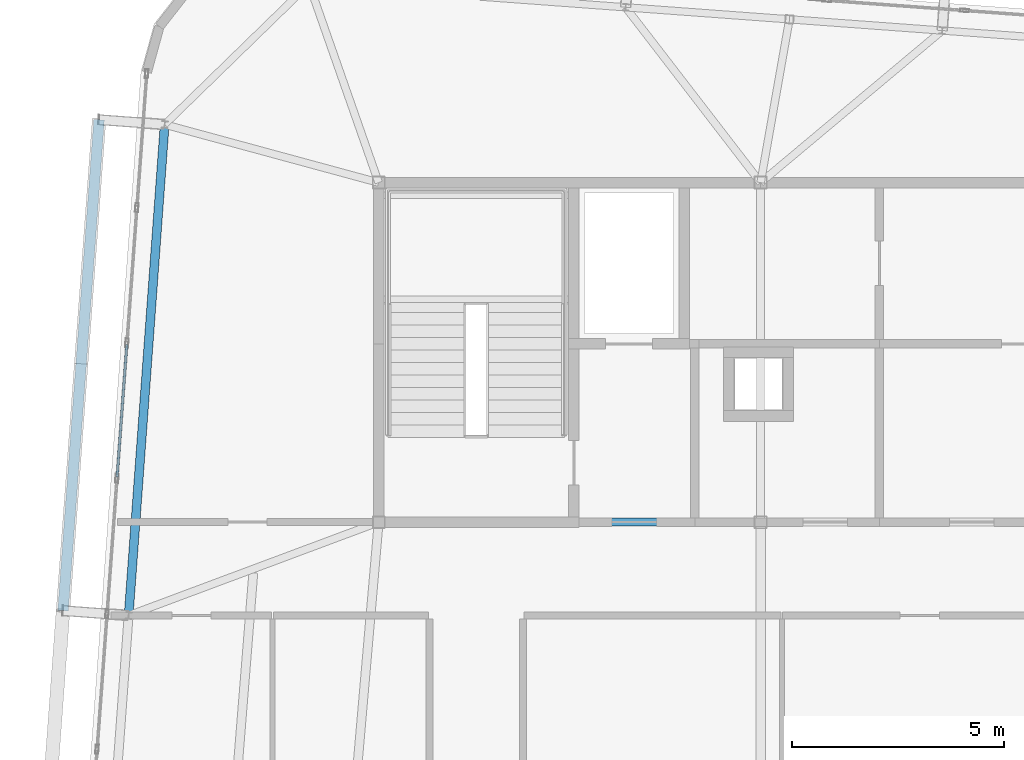
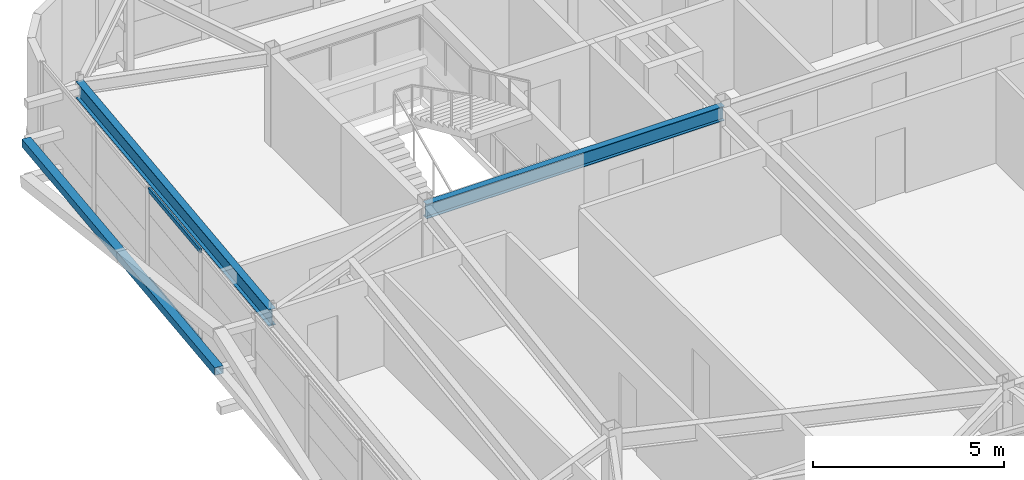
# One storey, part 16 of 42: 3 members, 2 beams, 1 element without a shape of its own.
"""IFC4 building model written with IfcOpenShell, lengths in metres."""

from ifc_helpers import new_model, si_unit, direction, frame, origin, origin_2d, place, context, subcontext, project, spatial, hollow_rectangle, i_section, extrude, source, transform, mapped, material, layer, layer_set, material_profile, profile_set, type_object, element, aggregate, save


model = new_model("IFC4")

# Units and contexts
model_context = context("Model", 3, precision=1e-05, world=origin(), true_north=direction((0.0, 1.0)))
body_context = subcontext(model_context, "Body", "Model", "MODEL_VIEW")
ifc_project = project(units=[si_unit("LENGTHUNIT", "METRE"), si_unit("AREAUNIT", "SQUARE_METRE"), si_unit("VOLUMEUNIT", "CUBIC_METRE"), si_unit("PLANEANGLEUNIT", "RADIAN"), si_unit("MASSUNIT", "GRAM", prefix="KILO")], contexts=[model_context])

# Site, building, storey
site_placement = place(None, origin())
site = spatial("IfcSite", under=ifc_project, at=site_placement, CompositionType="ELEMENT")
building_placement = place(site_placement, origin())
building = spatial("IfcBuilding", under=site, at=building_placement, Name="Taldren Reach Tower", CompositionType="ELEMENT")
storey_placement = place(building_placement, frame((0.0, 0.0, 217.699951171875)))
storey = spatial("IfcBuildingStorey", under=building, at=storey_placement, Name="L66", CompositionType="ELEMENT", Elevation=217.699951171875)

# Beams
ifc_material_1 = material(Name="Steel Gr 350 (350PLUS)", Category="steel")
ifc_material_profile_1 = material_profile(ifc_material_1, i_section(OverallWidth=0.19091796875, OverallDepth=0.4599609375, WebThickness=0.010009765625, FlangeThickness=0.01611328125, at=origin_2d()), Name="460UB82.1")
ifc_profile_set_1 = profile_set([ifc_material_profile_1], Name="Steel Gr 350 (350PLUS)")
beam_type_1 = type_object("IfcBeamType", Name="BM-UB460A", PredefinedType="BEAM", material=ifc_profile_set_1)
shared_shape_1 = source(origin(), body_context, "Body", "SweptSolid", [
    extrude(i_section(OverallWidth=0.19091796875, OverallDepth=0.4599609375, WebThickness=0.010009765625, FlangeThickness=0.01611328125, at=origin_2d()), origin(), (0.0, 0.0, 1.0), 9.0),
])
beam_1_placement = place(storey_placement, frame((19.0, 24.0, 2.699951171875), z_axis=(1.0, 0.0, 0.0), x_axis=(0.0, 1.0, 0.0)))
element("IfcBeam", 1, at=beam_1_placement, inside=storey, type_object=beam_type_1, Name="Core-spine girder L66-SP01", PredefinedType="BEAM", context=body_context, shape_type="MappedRepresentation", body=[
    mapped(shared_shape_1, transform((0.0, 0.0, 0.0), scale=1.0)),
])
ifc_material_profile_2 = material_profile(ifc_material_1, i_section(OverallWidth=0.208984375, OverallDepth=0.528076171875, WebThickness=0.009521484375, FlangeThickness=0.01318359375, at=origin_2d()), Name="530UB82.0")
ifc_profile_set_2 = profile_set([ifc_material_profile_2], Name="Steel Gr 350 (350PLUS)")
beam_type_2 = type_object("IfcBeamType", Name="SP-UB530B", PredefinedType="SPANDREL", material=ifc_profile_set_2)
shared_shape_2 = source(origin(), body_context, "Body", "SweptSolid", [
    extrude(i_section(OverallWidth=0.208984375, OverallDepth=0.528076171875, WebThickness=0.009521484375, FlangeThickness=0.01318359375, at=origin_2d()), origin(), (0.0, 0.0, 1.0), 11.60009765625),
])
beam_2_placement = place(storey_placement, frame((13.958251953125, 33.369140625, 2.666015625), z_axis=(-0.073242167855, -0.997314185625, 0.0), x_axis=(0.997314185625, -0.073242167855, 0.0)))
element("IfcBeam", 2, at=beam_2_placement, inside=storey, type_object=beam_type_2, Name="Perimeter spandrel B5 W3-W2 L66", PredefinedType="SPANDREL", context=body_context, shape_type="MappedRepresentation", body=[
    mapped(shared_shape_2, transform((0.0, 0.0, 0.0), scale=1.0)),
])

# Member
ifc_material_2 = material(Name="Steel Gr 350 (C350L0)", Category="steel")
ifc_material_profile_3 = material_profile(ifc_material_2, hollow_rectangle(XDim=0.25, YDim=0.25, WallThickness=0.010009765625, at=origin_2d()), Name="250x250x10.0SHS")
ifc_profile_set_3 = profile_set([ifc_material_profile_3], Name="Steel Gr 350 (C350L0)")
member_type_1 = type_object("IfcMemberType", Name="MB-POST250", PredefinedType="POST", material=ifc_profile_set_3)
shared_shape_3 = source(origin(), body_context, "Body", "SweptSolid", [
    extrude(hollow_rectangle(XDim=0.25, YDim=0.25, WallThickness=0.010009765625, at=origin_2d()), origin(), (0.0, 0.0, 1.0), 11.60009765625),
])
member_1_placement = place(storey_placement, frame((11.562744140625, 21.913818359375, 1.43505859375), z_axis=(0.073242167855, 0.997314185625, 0.0), x_axis=(-0.997314185625, 0.073242167855, 0.0)))
element("IfcMember", 3, at=member_1_placement, inside=storey, type_object=member_type_1, Name="Exoskeleton mid-height ring chord B5-W2 L66", PredefinedType="POST", context=body_context, shape_type="MappedRepresentation", body=[
    mapped(shared_shape_3, transform((0.0, 0.0, 0.0), scale=1.0)),
])

# Curtain wall, members
ifc_material_3 = material(Name="Aluminium and Low-E Glass Unitised System", Category="aluminium")
ifc_layer = layer(ifc_material_3, 0.159912109375)
ifc_layer_set = layer_set([ifc_layer], Name="Aluminium and Low-E Glass Unitised System")
curtain_wall_type = type_object("IfcCurtainWallType", Name="CW-SYS-6", PredefinedType="NOTDEFINED", material=ifc_layer_set)
curtain_wall_placement = place(storey_placement, origin())
curtain_wall = element("IfcCurtainWall", 4, at=curtain_wall_placement, inside=storey, type_object=curtain_wall_type, Name="Unitised curtain wall CW-L66-W", PredefinedType="NOTDEFINED")
ifc_material_4 = material(Name="Anodised Aluminium 6063-T6", Category="aluminium")
ifc_material_profile_4 = material_profile(ifc_material_4, hollow_rectangle(XDim=0.06005859375, YDim=0.135009765625, WallThickness=0.00341796875, at=origin_2d()), Name="ALU-135x60x3.5RHS")
ifc_profile_set_4 = profile_set([ifc_material_profile_4], Name="Anodised Aluminium 6063-T6")
member_type_2 = type_object("IfcMemberType", Name="CW-TRN-150", PredefinedType="USERDEFINED", material=ifc_profile_set_4)
shared_shape_4 = source(origin(), body_context, "Body", "SweptSolid", [
    extrude(hollow_rectangle(XDim=0.06005859375, YDim=0.135009765625, WallThickness=0.00341796875, at=origin_2d()), origin(), (0.0, 0.0, 1.0), 3.125),
])
member_2_placement = place(storey_placement, frame((13.06591796875, 28.18310546875, 0.030029296875), z_axis=(-0.073201175928, -0.997317195201, 0.0), x_axis=(0.997317195201, -0.073201175928, 0.0)))
member_2 = element("IfcMember", 5, at=member_2_placement, type_object=member_type_2, Name="CW-6 transom 3.1", ObjectType="TRANSOM", PredefinedType="USERDEFINED", context=body_context, shape_type="MappedRepresentation", body=[
    mapped(shared_shape_4, transform((0.0, 0.0, 0.0), scale=1.0)),
])
member_3_placement = place(storey_placement, frame((13.06591796875, 28.18310546875, 2.900146484375), z_axis=(-0.073201175928, -0.997317195201, 0.0), x_axis=(0.997317195201, -0.073201175928, 0.0)))
member_3 = element("IfcMember", 6, at=member_3_placement, type_object=member_type_2, Name="CW-6 transom 3.2", ObjectType="TRANSOM", PredefinedType="USERDEFINED", context=body_context, shape_type="MappedRepresentation", body=[
    mapped(shared_shape_4, transform((0.0, 0.0, 0.0), scale=1.0)),
])
aggregate(curtain_wall, [member_2, member_3])

save(model, "model.ifc")
